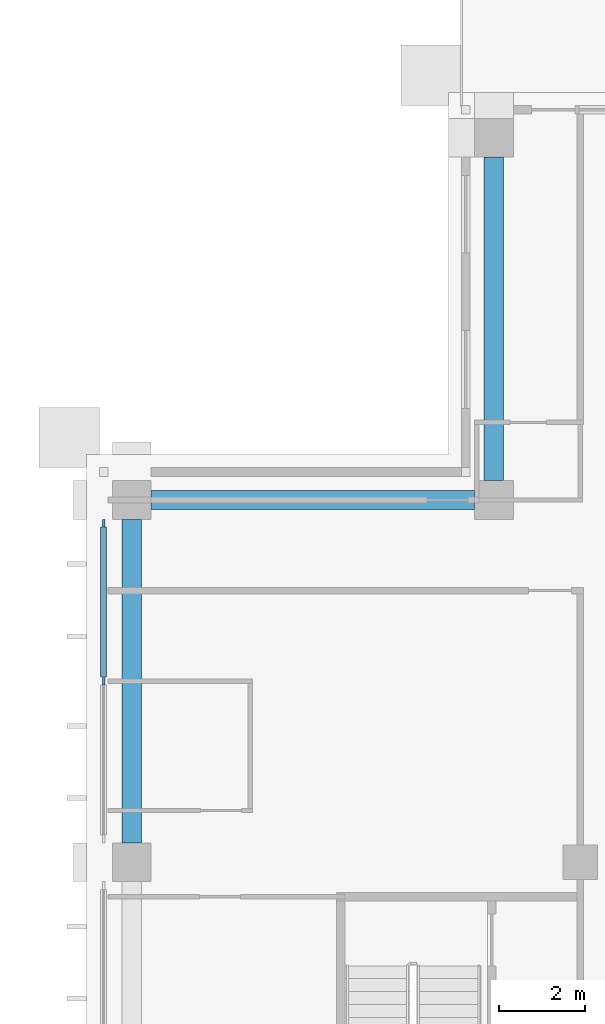
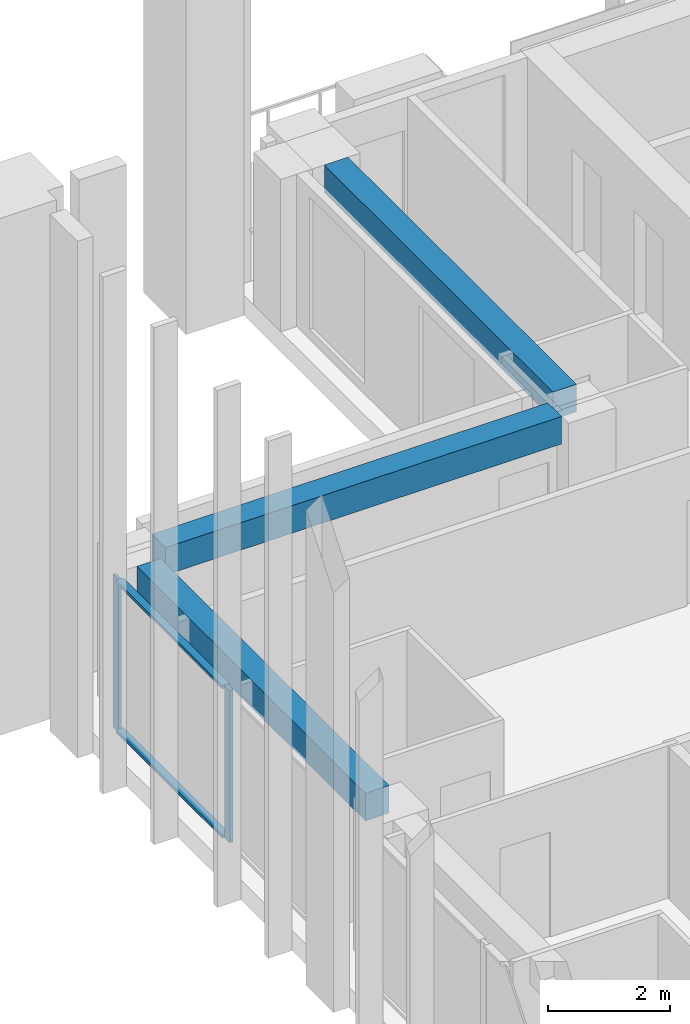
# One storey, part 6 of 20: 4 members, 3 beams, 1 element without a shape of its own.
"""IFC4 building model written with IfcOpenShell, lengths in metres."""

from ifc_helpers import new_model, si_unit, direction, frame, origin, origin_2d, place, context, subcontext, project, spatial, rectangle, extrude, material, material_profile, profile_set, type_object, element, aggregate, save


model = new_model("IFC4")

# Units and contexts
model_context = context("Model", 3, precision=1e-05, world=origin(), true_north=direction((0.0, 1.0)))
body_context = subcontext(model_context, "Body", "Model", "MODEL_VIEW")
ifc_project = project(units=[si_unit("LENGTHUNIT", "METRE"), si_unit("AREAUNIT", "SQUARE_METRE"), si_unit("VOLUMEUNIT", "CUBIC_METRE"), si_unit("PLANEANGLEUNIT", "RADIAN"), si_unit("MASSUNIT", "GRAM", prefix="KILO")], contexts=[model_context])

# Site, building, storey
site_placement = place(None, origin())
site = spatial("IfcSite", under=ifc_project, at=site_placement, CompositionType="ELEMENT")
building_placement = place(site_placement, origin())
building = spatial("IfcBuilding", under=site, at=building_placement, Name="Vermilion Ogive Tower", CompositionType="ELEMENT")
storey_placement = place(building_placement, frame((0.0, 0.0, 223.449951171875)))
storey = spatial("IfcBuildingStorey", under=building, at=storey_placement, Name="L58", CompositionType="ELEMENT", Elevation=223.449951171875)

# Curtain wall, members
ifc_material_1 = material(Name="Low-iron laminated glazing in aluminium frame", Category="aluminium")
curtain_wall_type = type_object("IfcCurtainWallType", Name="Curtain wall CW7", PredefinedType="NOTDEFINED", material=ifc_material_1)
curtain_wall_placement = place(storey_placement, origin())
curtain_wall = element("IfcCurtainWall", 1, at=curtain_wall_placement, inside=storey, type_object=curtain_wall_type, Name="Glazed skin W1", PredefinedType="NOTDEFINED")
ifc_material_2 = material(Name="Aluminium mullion", Category="aluminium")
ifc_material_profile_1 = material_profile(ifc_material_2, rectangle(XDim=0.06005859375, YDim=0.179931640625, at=origin_2d()), Name="AL 60x180")
ifc_profile_set_1 = profile_set([ifc_material_profile_1], Name="Aluminium mullion")
member_type_1 = type_object("IfcMemberType", Name="CW7 mullion 60x180", PredefinedType="MULLION", material=ifc_profile_set_1)
member_1_placement = place(storey_placement, frame((-25.85009765625, 12.06005859375, 0.0), z_axis=(0.0, 0.0, 1.0), x_axis=(1.0, 0.0, 0.0)))
member_1 = element("IfcMember", 2, at=member_1_placement, type_object=member_type_1, Name="CW7-W1 mullion 1", PredefinedType="MULLION", context=body_context, shape_type="SweptSolid", body=[
    extrude(rectangle(XDim=0.06005859375, YDim=0.179931640625, at=origin_2d()), origin(), (0.0, 0.0, 1.0), 3.050048828125),
])
member_2_placement = place(storey_placement, frame((-25.85009765625, 8.39990234375, 0.0), z_axis=(0.0, 0.0, 1.0), x_axis=(1.0, 0.0, 0.0)))
member_2 = element("IfcMember", 3, at=member_2_placement, type_object=member_type_1, Name="CW7-W1 mullion 2", PredefinedType="MULLION", context=body_context, shape_type="SweptSolid", body=[
    extrude(rectangle(XDim=0.06005859375, YDim=0.179931640625, at=origin_2d()), origin(), (0.0, 0.0, 1.0), 3.050048828125),
])
ifc_material_3 = material(Name="Aluminium transom", Category="aluminium")
ifc_material_profile_2 = material_profile(ifc_material_3, rectangle(XDim=0.139892578125, YDim=0.06005859375, at=origin_2d()), Name="AL 60x140")
ifc_profile_set_2 = profile_set([ifc_material_profile_2], Name="Aluminium transom")
member_type_2 = type_object("IfcMemberType", Name="CW7 transom 60x140", PredefinedType="USERDEFINED", material=ifc_profile_set_2)
member_3_placement = place(storey_placement, frame((-25.85009765625, 11.969970703125, 0.030029296875), z_axis=(0.0, -1.0, 0.0), x_axis=(1.0, 0.0, 0.0)))
member_3 = element("IfcMember", 4, at=member_3_placement, type_object=member_type_2, Name="CW7-W1 transom 1.1", ObjectType="TRANSOM", PredefinedType="USERDEFINED", context=body_context, shape_type="SweptSolid", body=[
    extrude(rectangle(XDim=0.139892578125, YDim=0.06005859375, at=origin_2d()), origin(), (0.0, 0.0, 1.0), 3.47998046875),
])
member_4_placement = place(storey_placement, frame((-25.85009765625, 11.969970703125, 3.02001953125), z_axis=(0.0, -1.0, 0.0), x_axis=(1.0, 0.0, 0.0)))
member_4 = element("IfcMember", 5, at=member_4_placement, type_object=member_type_2, Name="CW7-W1 transom 1.2", ObjectType="TRANSOM", PredefinedType="USERDEFINED", context=body_context, shape_type="SweptSolid", body=[
    extrude(rectangle(XDim=0.139892578125, YDim=0.06005859375, at=origin_2d()), origin(), (0.0, 0.0, 1.0), 3.47998046875),
])
aggregate(curtain_wall, [member_1, member_2, member_3, member_4])

# Beams
ifc_material_4 = material(Name="Concrete B45", Category="concrete")
ifc_material_profile_3 = material_profile(ifc_material_4, rectangle(XDim=0.449951171875, YDim=0.550048828125, at=origin_2d()), Name="450 x 550")
ifc_profile_set_3 = profile_set([ifc_material_profile_3], Name="Concrete B45")
beam_type = type_object("IfcBeamType", Name="Edge beam 450 x 550 B45", PredefinedType="BEAM", material=ifc_profile_set_3)
for number, where, z_axis, x_axis, name in (
    (6, (-16.800048828125, 20.550048828125, 2.775146484375), (0.0, -1.0, 0.0), (1.0, 0.0, 0.0), "L58-EB-12"),
    (7, (-17.25, 12.60009765625, 2.775146484375), (-1.0, 0.0, 0.0), (0.0, -1.0, 0.0), "L58-EB-13"),
    (8, (-25.199951171875, 12.14990234375, 2.775146484375), (0.0, -1.0, 0.0), (1.0, 0.0, 0.0), "L58-EB-14"),
):
    element("IfcBeam", number, at=place(storey_placement, frame(where, z_axis=z_axis, x_axis=x_axis)), inside=storey, type_object=beam_type, Name=name, PredefinedType="BEAM", context=body_context, shape_type="SweptSolid", body=[
        extrude(rectangle(XDim=0.449951171875, YDim=0.550048828125, at=origin_2d()), origin(), (0.0, 0.0, 1.0), 7.5),
    ])

save(model, "model.ifc")
